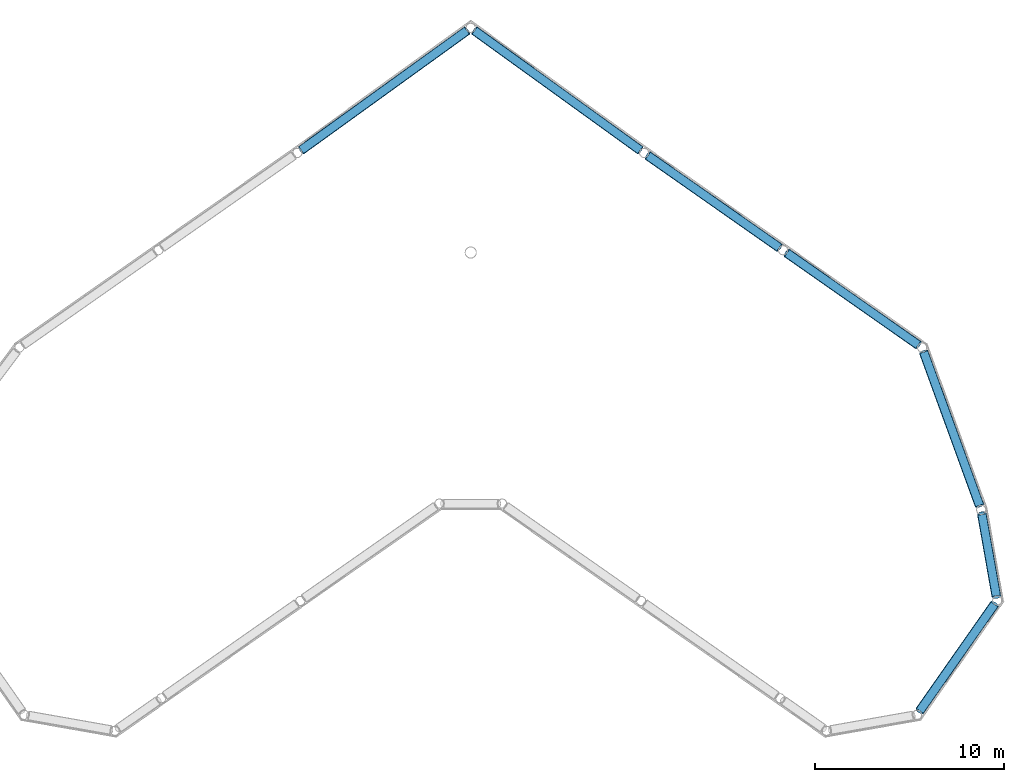
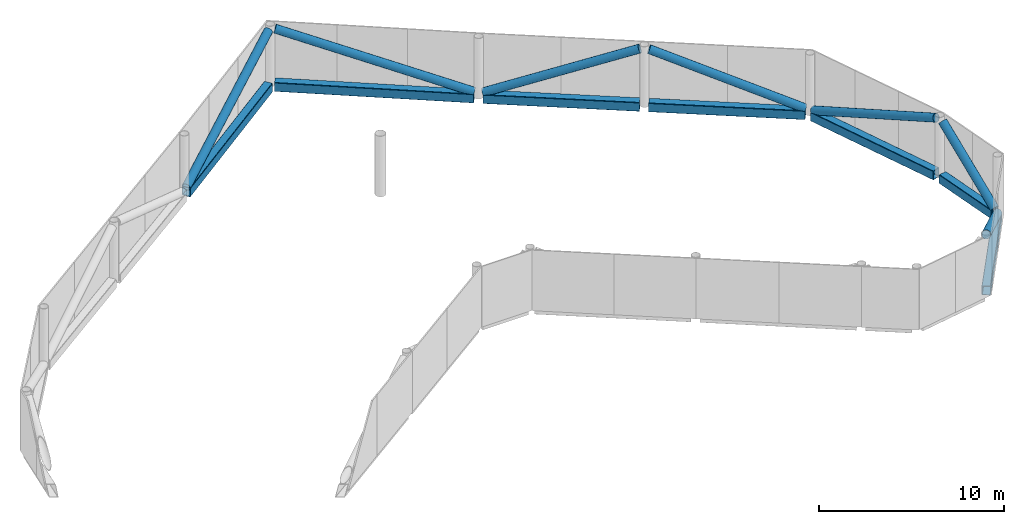
# One storey, part 3 of 4: 7 beams, 7 members.
"""IFC4 building model written with IfcOpenShell, lengths in metres."""

from ifc_helpers import new_model, si_unit, direction, frame, origin, origin_2d, place, context, subcontext, project, spatial, hollow_rectangle, hollow_circle, extrude, material, material_profile, profile_set, type_object, element, save


model = new_model("IFC4")

# Units and contexts
model_context = context("Model", 3, precision=1e-05, world=origin(), true_north=direction((0.0, 1.0)))
body_context = subcontext(model_context, "Body", "Model", "MODEL_VIEW")
ifc_project = project(units=[si_unit("LENGTHUNIT", "METRE"), si_unit("AREAUNIT", "SQUARE_METRE"), si_unit("VOLUMEUNIT", "CUBIC_METRE"), si_unit("PLANEANGLEUNIT", "RADIAN"), si_unit("MASSUNIT", "GRAM", prefix="KILO")], contexts=[model_context])

# Site, building, storey
site_placement = place(None, origin())
site = spatial("IfcSite", under=ifc_project, at=site_placement, CompositionType="ELEMENT")
building_placement = place(site_placement, origin())
building = spatial("IfcBuilding", under=site, at=building_placement, Name="Tel Ilan Convention Tower", CompositionType="ELEMENT")
storey_placement = place(building_placement, frame((0.0, 0.0, 326.800048828125)))
storey = spatial("IfcBuildingStorey", under=building, at=storey_placement, Name="L77", CompositionType="ELEMENT", Elevation=326.800048828125)

# Members
ifc_material_1 = material(Name="Steel S355", Category="steel")
ifc_material_profile_1 = material_profile(ifc_material_1, hollow_circle(Radius=0.25390625, WallThickness=0.01611328125, at=origin_2d()), Name="CHS 508x16")
ifc_profile_set_1 = profile_set([ifc_material_profile_1], Name="Steel S355")
member_type = type_object("IfcMemberType", Name="CROWN FRAME BRACE CHS 508x16", PredefinedType="BRACE", material=ifc_profile_set_1)
member_1_placement = place(storey_placement, frame((23.817626953125, -24.302978515625, 3.699951171875), z_axis=(0.514421702531, 0.734624940888, -0.442375980576), x_axis=(-0.81913539389, 0.573600214851, 0.0)))
element("IfcMember", 1, at=member_1_placement, inside=storey, type_object=member_type, Name="CROWN FRAME brace", PredefinedType="BRACE", context=body_context, shape_type="SweptSolid", body=[
    extrude(hollow_circle(Radius=0.25390625, WallThickness=0.01611328125, at=origin_2d()), origin(), (0.0, 0.0, 1.0), 7.685546875),
])
member_2_placement = place(storey_placement, frame((27.872802734375, -18.198974609375, 0.300048828125), z_axis=(-0.137019267029, 0.777368319025, 0.613941542037), x_axis=(-0.984818960578, -0.173584604405, 0.0)))
element("IfcMember", 2, at=member_2_placement, inside=storey, type_object=member_type, Name="CROWN FRAME brace", PredefinedType="BRACE", context=body_context, shape_type="SweptSolid", body=[
    extrude(hollow_circle(Radius=0.25390625, WallThickness=0.01611328125, at=origin_2d()), origin(), (0.0, 0.0, 1.0), 5.537841796875),
])
member_3_placement = place(storey_placement, frame((26.983154296875, -13.4052734375, 3.699951171875), z_axis=(-0.318502301018, 0.874442667543, -0.36593210494), x_axis=(-0.939612751601, -0.342239502439, 0.0)))
element("IfcMember", 3, at=member_3_placement, inside=storey, type_object=member_type, Name="CROWN FRAME brace", PredefinedType="BRACE", context=body_context, shape_type="SweptSolid", body=[
    extrude(hollow_circle(Radius=0.25390625, WallThickness=0.01611328125, at=origin_2d()), origin(), (0.0, 0.0, 1.0), 9.291015625),
])
member_4_placement = place(storey_placement, frame((23.72900390625, -4.896240234375, 0.300048828125), z_axis=(-0.760425108847, 0.532553791307, 0.371672050604), x_axis=(-0.573647554936, -0.819102241918, 0.0)))
element("IfcMember", 4, at=member_4_placement, inside=storey, type_object=member_type, Name="CROWN FRAME brace", PredefinedType="BRACE", context=body_context, shape_type="SweptSolid", body=[
    extrude(hollow_circle(Radius=0.25390625, WallThickness=0.01611328125, at=origin_2d()), origin(), (0.0, 0.0, 1.0), 9.147705078125),
])
member_5_placement = place(storey_placement, frame((16.35693359375, 0.2666015625, 3.699951171875), z_axis=(-0.760457085565, 0.532488114036, -0.371700725618), x_axis=(-0.573583902989, -0.819146816042, 0.0)))
element("IfcMember", 5, at=member_5_placement, inside=storey, type_object=member_type, Name="CROWN FRAME brace", PredefinedType="BRACE", context=body_context, shape_type="SweptSolid", body=[
    extrude(hollow_circle(Radius=0.25390625, WallThickness=0.01611328125, at=origin_2d()), origin(), (0.0, 0.0, 1.0), 9.14697265625),
])
for number, where, z_axis, x_axis, name in (
    (6, (8.987060546875, 5.431640625, 0.300048828125), (-0.773630892518, 0.558364176575, 0.299540795985), (-0.585236177645, -0.810862883831, 0.0), "CROWN FRAME brace"),
    (7, (-0.2060546875, 11.769287109375, 3.699951171875), (-0.773630892518, -0.558364176575, -0.299540795985), (0.585236177645, -0.810862883831, 0.0), "CROWN FRAME brace"),
):
    element("IfcMember", number, at=place(storey_placement, frame(where, z_axis=z_axis, x_axis=x_axis)), inside=storey, type_object=member_type, Name=name, PredefinedType="BRACE", context=body_context, shape_type="SweptSolid", body=[
        extrude(hollow_circle(Radius=0.25390625, WallThickness=0.01611328125, at=origin_2d()), origin(), (0.0, 0.0, 1.0), 11.350341796875),
    ])

# Beams
ifc_material_2 = material(Name="Steel S355", Category="steel")
ifc_material_profile_2 = material_profile(ifc_material_2, hollow_rectangle(XDim=0.5, YDim=0.60009765625, WallThickness=0.02490234375, InnerFilletRadius=0.02490234375, OuterFilletRadius=0.050048828125, at=origin_2d()), Name="RHS 600x500x25")
ifc_profile_set_2 = profile_set([ifc_material_profile_2], Name="Steel S355")
beam_type = type_object("IfcBeamType", Name="CROWN FRAME RING BEAM RHS 600x500x25", PredefinedType="BEAM", material=ifc_profile_set_2)
beam_1_placement = place(storey_placement, frame((23.817626953125, -24.302978515625, 0.0), z_axis=(0.573600214851, 0.81913539389, 0.0), x_axis=(-0.81913539389, 0.573600214851, 0.0)))
element("IfcBeam", 8, at=beam_1_placement, inside=storey, type_object=beam_type, Name="CROWN FRAME ring beam", PredefinedType="BEAM", context=body_context, shape_type="SweptSolid", body=[
    extrude(hollow_rectangle(XDim=0.5, YDim=0.60009765625, WallThickness=0.02490234375, InnerFilletRadius=0.02490234375, OuterFilletRadius=0.050048828125, at=origin_2d()), origin(), (0.0, 0.0, 1.0), 6.892578125),
])
beam_2_placement = place(storey_placement, frame((27.872802734375, -18.198974609375, 0.0), z_axis=(-0.173584604405, 0.984818960578, 0.0), x_axis=(-0.984818960578, -0.173584604405, 0.0)))
element("IfcBeam", 9, at=beam_2_placement, inside=storey, type_object=beam_type, Name="CROWN FRAME ring beam", PredefinedType="BEAM", context=body_context, shape_type="SweptSolid", body=[
    extrude(hollow_rectangle(XDim=0.5, YDim=0.60009765625, WallThickness=0.02490234375, InnerFilletRadius=0.02490234375, OuterFilletRadius=0.050048828125, at=origin_2d()), origin(), (0.0, 0.0, 1.0), 4.371337890625),
])
beam_3_placement = place(storey_placement, frame((26.983154296875, -13.4052734375, 0.0), z_axis=(-0.342239502439, 0.939612751601, 0.0), x_axis=(-0.939612751601, -0.342239502439, 0.0)))
element("IfcBeam", 10, at=beam_3_placement, inside=storey, type_object=beam_type, Name="CROWN FRAME ring beam", PredefinedType="BEAM", context=body_context, shape_type="SweptSolid", body=[
    extrude(hollow_rectangle(XDim=0.5, YDim=0.60009765625, WallThickness=0.02490234375, InnerFilletRadius=0.02490234375, OuterFilletRadius=0.050048828125, at=origin_2d()), origin(), (0.0, 0.0, 1.0), 8.646728515625),
])
beam_4_placement = place(storey_placement, frame((23.72900390625, -4.896240234375, 0.0), z_axis=(-0.819102241918, 0.573647554936, 0.0), x_axis=(-0.573647554936, -0.819102241918, 0.0)))
element("IfcBeam", 11, at=beam_4_placement, inside=storey, type_object=beam_type, Name="CROWN FRAME ring beam", PredefinedType="BEAM", context=body_context, shape_type="SweptSolid", body=[
    extrude(hollow_rectangle(XDim=0.5, YDim=0.60009765625, WallThickness=0.02490234375, InnerFilletRadius=0.02490234375, OuterFilletRadius=0.050048828125, at=origin_2d()), origin(), (0.0, 0.0, 1.0), 8.4921875),
])
beam_5_placement = place(storey_placement, frame((16.35693359375, 0.2666015625, 0.0), z_axis=(-0.819146816042, 0.573583902989, 0.0), x_axis=(-0.573583902989, -0.819146816042, 0.0)))
element("IfcBeam", 12, at=beam_5_placement, inside=storey, type_object=beam_type, Name="CROWN FRAME ring beam", PredefinedType="BEAM", context=body_context, shape_type="SweptSolid", body=[
    extrude(hollow_rectangle(XDim=0.5, YDim=0.60009765625, WallThickness=0.02490234375, InnerFilletRadius=0.02490234375, OuterFilletRadius=0.050048828125, at=origin_2d()), origin(), (0.0, 0.0, 1.0), 8.491455078125),
])
for number, where, z_axis, x_axis, name in (
    (13, (8.987060546875, 5.431640625, 0.0), (-0.810862883831, 0.585236177645, 0.0), (-0.585236177645, -0.810862883831, 0.0), "CROWN FRAME ring beam"),
    (14, (-0.2060546875, 11.769287109375, 0.0), (-0.810862883831, -0.585236177645, 0.0), (0.585236177645, -0.810862883831, 0.0), "CROWN FRAME ring beam"),
):
    element("IfcBeam", number, at=place(storey_placement, frame(where, z_axis=z_axis, x_axis=x_axis)), inside=storey, type_object=beam_type, Name=name, PredefinedType="BEAM", context=body_context, shape_type="SweptSolid", body=[
        extrude(hollow_rectangle(XDim=0.5, YDim=0.60009765625, WallThickness=0.02490234375, InnerFilletRadius=0.02490234375, OuterFilletRadius=0.050048828125, at=origin_2d()), origin(), (0.0, 0.0, 1.0), 10.8291015625),
    ])

save(model, "model.ifc")
